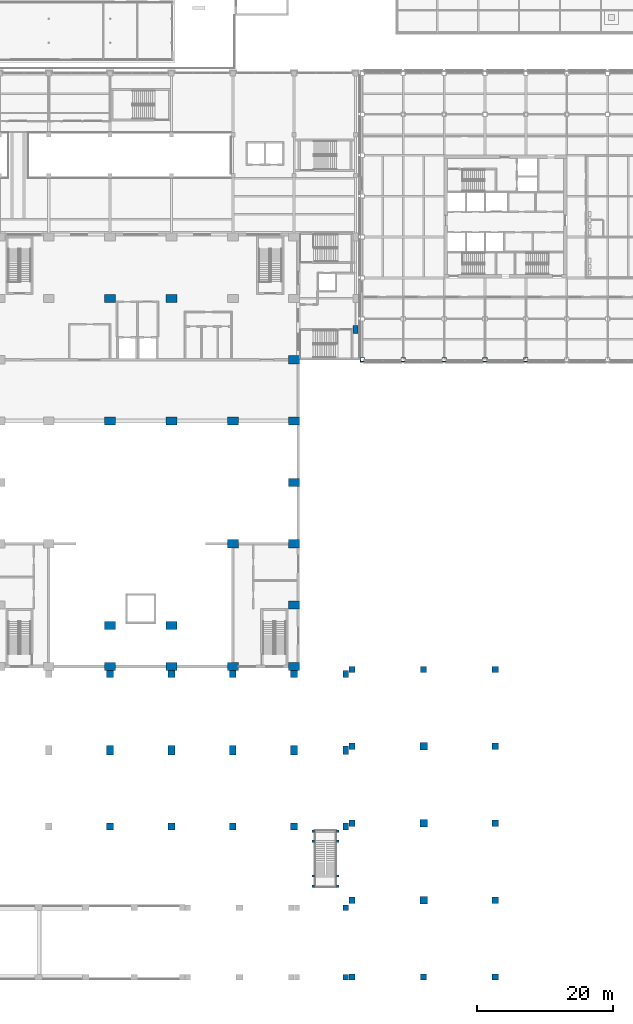
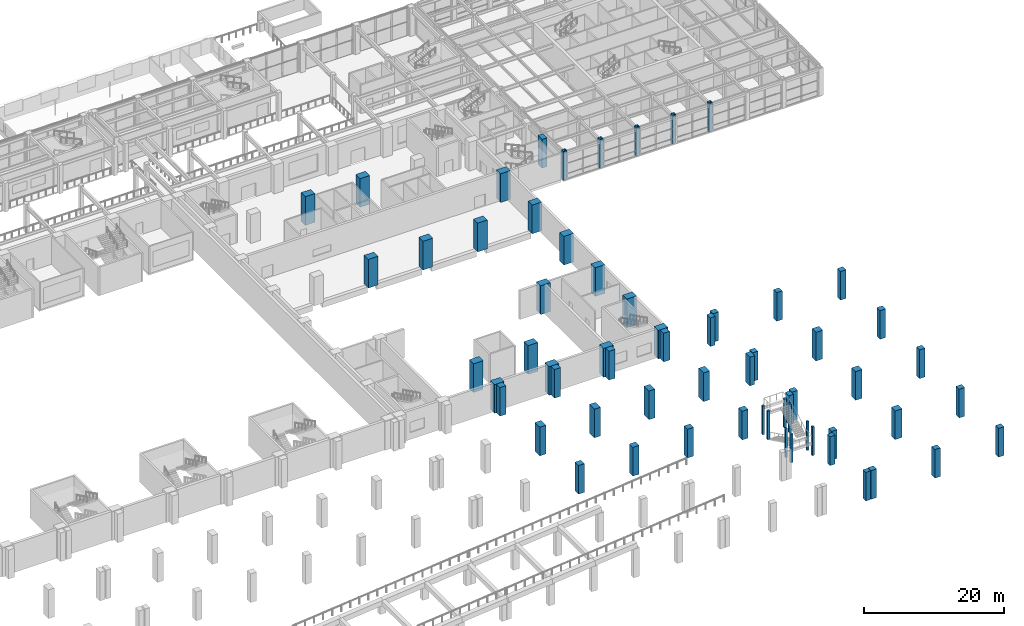
# One storey, part 3 of 67: 63 columns.
"""IFC4 building model written with IfcOpenShell, lengths in metres."""

from ifc_helpers import new_model, si_unit, direction, frame, origin, origin_2d, place, context, subcontext, project, spatial, rectangle, hollow_rectangle, extrude, material, material_profile, profile_set, type_object, element, save


model = new_model("IFC4")

# Units and contexts
model_context = context("Model", 3, precision=1e-05, world=origin(), true_north=direction((0.0, 1.0)))
body_context = subcontext(model_context, "Body", "Model", "MODEL_VIEW")
ifc_project = project(units=[si_unit("LENGTHUNIT", "METRE"), si_unit("AREAUNIT", "SQUARE_METRE"), si_unit("VOLUMEUNIT", "CUBIC_METRE"), si_unit("PLANEANGLEUNIT", "RADIAN"), si_unit("MASSUNIT", "GRAM", prefix="KILO")], contexts=[model_context])

# Site, building, storey
site_placement = place(None, origin())
site = spatial("IfcSite", under=ifc_project, at=site_placement, CompositionType="ELEMENT")
building_placement = place(site_placement, origin())
building = spatial("IfcBuilding", under=site, at=building_placement, Name="Aravalli Gate Trade Fair Centre", CompositionType="ELEMENT")
storey_placement = place(building_placement, frame((0.0, 0.0, 5.0)))
storey = spatial("IfcBuildingStorey", under=building, at=storey_placement, Name="L01", CompositionType="ELEMENT", Elevation=5.0)

# Columns
ifc_material_1 = material(Name="Concrete M45", Category="concrete")
ifc_material_profile_1 = material_profile(ifc_material_1, rectangle(XDim=1.60009765625, YDim=1.199951171875, at=origin_2d()), Name="RC 1600x1200")
ifc_profile_set_1 = profile_set([ifc_material_profile_1], Name="Concrete M45")
column_type_1 = type_object("IfcColumnType", Name="Congress RC column 1600 x 1200", PredefinedType="COLUMN", material=ifc_profile_set_1)
for number, where, z_axis, x_axis, name in (
    (1, (123.0, 46.0, 0.0), (0.0, 0.0, 1.0), (1.0, 0.0, 0.0), "Congress column 123.0/46 L01"),
    (2, (132.0, 46.0, 0.0), (0.0, 0.0, 1.0), (1.0, 0.0, 0.0), "Congress column 132.0/46 L01"),
    (3, (141.0, 46.0, 0.0), (0.0, 0.0, 1.0), (1.0, 0.0, 0.0), "Congress column 141.0/46 L01"),
    (4, (150.0, 46.0, 0.0), (0.0, 0.0, 1.0), (1.0, 0.0, 0.0), "Congress column 150.0/46 L01"),
    (5, (150.0, 55.0, 0.0), (0.0, 0.0, 1.0), (1.0, 0.0, 0.0), "Congress column 150.0/55 L01"),
    (6, (150.0, 64.0, 0.0), (0.0, 0.0, 1.0), (1.0, 0.0, 0.0), "Congress column 150.0/64 L01"),
    (7, (150.0, 73.0, 0.0), (0.0, 0.0, 1.0), (1.0, 0.0, 0.0), "Congress column 150.0/73 L01"),
    (8, (150.0, 82.0, 0.0), (0.0, 0.0, 1.0), (1.0, 0.0, 0.0), "Congress column 150.0/82 L01"),
    (9, (150.0, 91.0, 0.0), (0.0, 0.0, 1.0), (1.0, 0.0, 0.0), "Congress column 150.0/91 L01"),
):
    element("IfcColumn", number, at=place(storey_placement, frame(where, z_axis=z_axis, x_axis=x_axis)), inside=storey, type_object=column_type_1, Name=name, PredefinedType="COLUMN", context=body_context, shape_type="SweptSolid", body=[
        extrude(rectangle(XDim=1.60009765625, YDim=1.199951171875, at=origin_2d()), origin(), (0.0, 0.0, 1.0), 5.0),
    ])
ifc_material_profile_2 = material_profile(ifc_material_1, rectangle(XDim=1.60009765625, YDim=1.199951171875, at=origin_2d()), Name="RC 1600x1200")
ifc_profile_set_2 = profile_set([ifc_material_profile_2], Name="Concrete M45")
column_type_2 = type_object("IfcColumnType", Name="Congress RC column 1600 x 1200, heavy stack", PredefinedType="COLUMN", material=ifc_profile_set_2)
for number, where, z_axis, x_axis, name in (
    (10, (123.0, 52.0, 0.0), (0.0, 0.0, 1.0), (1.0, 0.0, 0.0), "Congress column 123.0/52 L01"),
    (11, (132.0, 52.0, 0.0), (0.0, 0.0, 1.0), (1.0, 0.0, 0.0), "Congress column 132.0/52 L01"),
    (12, (141.0, 64.0, 0.0), (0.0, 0.0, 1.0), (1.0, 0.0, 0.0), "Congress column 141.0/64 L01"),
    (13, (123.0, 82.0, 0.0), (0.0, 0.0, 1.0), (1.0, 0.0, 0.0), "Congress column 123.0/82 L01"),
    (14, (132.0, 82.0, 0.0), (0.0, 0.0, 1.0), (1.0, 0.0, 0.0), "Congress column 132.0/82 L01"),
    (15, (141.0, 82.0, 0.0), (0.0, 0.0, 1.0), (1.0, 0.0, 0.0), "Congress column 141.0/82 L01"),
    (16, (123.0, 100.0, 0.0), (0.0, 0.0, 1.0), (1.0, 0.0, 0.0), "Congress column 123.0/100 L01"),
    (17, (132.0, 100.0, 0.0), (0.0, 0.0, 1.0), (1.0, 0.0, 0.0), "Congress column 132.0/100 L01"),
):
    element("IfcColumn", number, at=place(storey_placement, frame(where, z_axis=z_axis, x_axis=x_axis)), inside=storey, type_object=column_type_2, Name=name, PredefinedType="COLUMN", context=body_context, shape_type="SweptSolid", body=[
        extrude(rectangle(XDim=1.60009765625, YDim=1.199951171875, at=origin_2d()), origin(), (0.0, 0.0, 1.0), 5.0),
    ])
ifc_material_profile_3 = material_profile(ifc_material_1, rectangle(XDim=1.0, YDim=1.0, at=origin_2d()), Name="Deck column RC 1000 x 1000")
ifc_profile_set_3 = profile_set([ifc_material_profile_3], Name="Concrete M45")
column_type_3 = type_object("IfcColumnType", Name="Deck column RC 1000 x 1000", PredefinedType="COLUMN", material=ifc_profile_set_3)
for number, where, z_axis, x_axis, name in (
    (18, (123.0, 22.5, 0.0), (0.0, 0.0, 1.0), (1.0, 0.0, 0.0), "Deck column col.deck.3.3.S L01"),
    (19, (123.0, 44.89990234375, 0.0), (0.0, 0.0, 1.0), (1.0, 0.0, 0.0), "Deck column col.deck.3.3.N L01"),
    (20, (132.0, 22.5, 0.0), (0.0, 0.0, 1.0), (1.0, 0.0, 0.0), "Deck column col.deck.3.4.S L01"),
    (21, (132.0, 44.89990234375, 0.0), (0.0, 0.0, 1.0), (1.0, 0.0, 0.0), "Deck column col.deck.3.4.N L01"),
    (22, (141.0, 22.5, 0.0), (0.0, 0.0, 1.0), (1.0, 0.0, 0.0), "Deck column col.deck.3.5.S L01"),
    (23, (141.0, 44.89990234375, 0.0), (0.0, 0.0, 1.0), (1.0, 0.0, 0.0), "Deck column col.deck.3.5.N L01"),
    (24, (150.0, 22.5, 0.0), (0.0, 0.0, 1.0), (1.0, 0.0, 0.0), "Deck column col.deck.3.6.S L01"),
    (25, (150.0, 44.89990234375, 0.0), (0.0, 0.0, 1.0), (1.0, 0.0, 0.0), "Deck column col.deck.3.6.N L01"),
):
    element("IfcColumn", number, at=place(storey_placement, frame(where, z_axis=z_axis, x_axis=x_axis)), inside=storey, type_object=column_type_3, Name=name, PredefinedType="COLUMN", context=body_context, shape_type="SweptSolid", body=[
        extrude(rectangle(XDim=1.0, YDim=1.0, at=origin_2d()), origin(), (0.0, 0.0, 1.0), 5.0),
    ])
ifc_material_profile_4 = material_profile(ifc_material_1, rectangle(XDim=1.0, YDim=1.39990234375, at=origin_2d()), Name="Deck column RC 1000 x 1400")
ifc_profile_set_4 = profile_set([ifc_material_profile_4], Name="Concrete M45")
column_type_4 = type_object("IfcColumnType", Name="Deck column RC 1000 x 1400", PredefinedType="COLUMN", material=ifc_profile_set_4)
for number, where, z_axis, x_axis, name in (
    (26, (123.0, 33.699951171875, 0.0), (0.0, 0.0, 1.0), (1.0, 0.0, 0.0), "Deck column col.deck.3.3.M L01"),
    (27, (132.0, 33.699951171875, 0.0), (0.0, 0.0, 1.0), (1.0, 0.0, 0.0), "Deck column col.deck.3.4.M L01"),
    (28, (141.0, 33.699951171875, 0.0), (0.0, 0.0, 1.0), (1.0, 0.0, 0.0), "Deck column col.deck.3.5.M L01"),
    (29, (150.0, 33.699951171875, 0.0), (0.0, 0.0, 1.0), (1.0, 0.0, 0.0), "Deck column col.deck.3.6.M L01"),
):
    element("IfcColumn", number, at=place(storey_placement, frame(where, z_axis=z_axis, x_axis=x_axis)), inside=storey, type_object=column_type_4, Name=name, PredefinedType="COLUMN", context=body_context, shape_type="SweptSolid", body=[
        extrude(rectangle(XDim=1.0, YDim=1.39990234375, at=origin_2d()), origin(), (0.0, 0.0, 1.0), 5.0),
    ])
ifc_material_profile_5 = material_profile(ifc_material_1, rectangle(XDim=0.800048828125, YDim=1.0, at=origin_2d()), Name="Deck column RC 800 x 1000")
ifc_profile_set_5 = profile_set([ifc_material_profile_5], Name="Concrete M45")
column_type_5 = type_object("IfcColumnType", Name="Deck column RC 800 x 1000", PredefinedType="COLUMN", material=ifc_profile_set_5)
for number, where, z_axis, x_axis, name in (
    (30, (157.580078125, 22.5, 0.0), (0.0, 0.0, 1.0), (1.0, 0.0, 0.0), "Deck column col.deck.3.7.S L01"),
    (31, (157.580078125, 44.89990234375, 0.0), (0.0, 0.0, 1.0), (1.0, 0.0, 0.0), "Deck column col.deck.3.7.N L01"),
):
    element("IfcColumn", number, at=place(storey_placement, frame(where, z_axis=z_axis, x_axis=x_axis)), inside=storey, type_object=column_type_5, Name=name, PredefinedType="COLUMN", context=body_context, shape_type="SweptSolid", body=[
        extrude(rectangle(XDim=0.800048828125, YDim=1.0, at=origin_2d()), origin(), (0.0, 0.0, 1.0), 5.0),
    ])
ifc_material_profile_6 = material_profile(ifc_material_1, rectangle(XDim=0.800048828125, YDim=1.199951171875, at=origin_2d()), Name="Deck column RC 800 x 1200")
ifc_profile_set_6 = profile_set([ifc_material_profile_6], Name="Concrete M45")
column_type_6 = type_object("IfcColumnType", Name="Deck column RC 800 x 1200", PredefinedType="COLUMN", material=ifc_profile_set_6)
column_1_placement = place(storey_placement, frame((157.580078125, 33.699951171875, 0.0), z_axis=(0.0, 0.0, 1.0), x_axis=(1.0, 0.0, 0.0)))
element("IfcColumn", 32, at=column_1_placement, inside=storey, type_object=column_type_6, Name="Deck column col.deck.3.7.M L01", PredefinedType="COLUMN", context=body_context, shape_type="SweptSolid", body=[
    extrude(rectangle(XDim=0.800048828125, YDim=1.199951171875, at=origin_2d()), origin(), (0.0, 0.0, 1.0), 5.0),
])
ifc_material_profile_7 = material_profile(ifc_material_1, rectangle(XDim=1.10009765625, YDim=1.10009765625, at=origin_2d()), Name="Landing column RC 1100 x 1100")
ifc_profile_set_7 = profile_set([ifc_material_profile_7], Name="Concrete M45")
column_type_7 = type_object("IfcColumnType", Name="Landing column RC 1100 x 1100", PredefinedType="COLUMN", material=ifc_profile_set_7)
for number, where, z_axis, x_axis, name in (
    (33, (169.0, 11.699951171875, 0.0), (0.0, 0.0, 1.0), (1.0, 0.0, 0.0), "Landing column col.landing.2.2 L01"),
    (34, (169.0, 23.0, 0.0), (0.0, 0.0, 1.0), (1.0, 0.0, 0.0), "Landing column col.landing.2.3 L01"),
    (35, (169.0, 34.300048828125, 0.0), (0.0, 0.0, 1.0), (1.0, 0.0, 0.0), "Landing column col.landing.2.4 L01"),
):
    element("IfcColumn", number, at=place(storey_placement, frame(where, z_axis=z_axis, x_axis=x_axis)), inside=storey, type_object=column_type_7, Name=name, PredefinedType="COLUMN", context=body_context, shape_type="SweptSolid", body=[
        extrude(rectangle(XDim=1.10009765625, YDim=1.10009765625, at=origin_2d()), origin(), (0.0, 0.0, 1.0), 5.0),
    ])
ifc_material_profile_8 = material_profile(ifc_material_1, rectangle(XDim=0.89990234375, YDim=0.89990234375, at=origin_2d()), Name="Landing column RC 900 x 900")
ifc_profile_set_8 = profile_set([ifc_material_profile_8], Name="Concrete M45")
column_type_8 = type_object("IfcColumnType", Name="Landing column RC 900 x 900", PredefinedType="COLUMN", material=ifc_profile_set_8)
for number, where, z_axis, x_axis, name in (
    (36, (158.5, 0.449951171875, 0.0), (0.0, 0.0, 1.0), (1.0, 0.0, 0.0), "Landing column col.landing.1.1 L01"),
    (37, (158.5, 11.699951171875, 0.0), (0.0, 0.0, 1.0), (1.0, 0.0, 0.0), "Landing column col.landing.1.2 L01"),
    (38, (158.5, 23.0, 0.0), (0.0, 0.0, 1.0), (1.0, 0.0, 0.0), "Landing column col.landing.1.3 L01"),
    (39, (158.5, 34.300048828125, 0.0), (0.0, 0.0, 1.0), (1.0, 0.0, 0.0), "Landing column col.landing.1.4 L01"),
    (40, (158.5, 45.550048828125, 0.0), (0.0, 0.0, 1.0), (1.0, 0.0, 0.0), "Landing column col.landing.1.5 L01"),
    (41, (169.0, 0.449951171875, 0.0), (0.0, 0.0, 1.0), (1.0, 0.0, 0.0), "Landing column col.landing.2.1 L01"),
    (42, (169.0, 45.550048828125, 0.0), (0.0, 0.0, 1.0), (1.0, 0.0, 0.0), "Landing column col.landing.2.5 L01"),
    (43, (179.5, 0.449951171875, 0.0), (0.0, 0.0, 1.0), (1.0, 0.0, 0.0), "Landing column col.landing.3.1 L01"),
    (44, (179.5, 11.699951171875, 0.0), (0.0, 0.0, 1.0), (1.0, 0.0, 0.0), "Landing column col.landing.3.2 L01"),
    (45, (179.5, 23.0, 0.0), (0.0, 0.0, 1.0), (1.0, 0.0, 0.0), "Landing column col.landing.3.3 L01"),
    (46, (179.5, 34.300048828125, 0.0), (0.0, 0.0, 1.0), (1.0, 0.0, 0.0), "Landing column col.landing.3.4 L01"),
    (47, (179.5, 45.550048828125, 0.0), (0.0, 0.0, 1.0), (1.0, 0.0, 0.0), "Landing column col.landing.3.5 L01"),
):
    element("IfcColumn", number, at=place(storey_placement, frame(where, z_axis=z_axis, x_axis=x_axis)), inside=storey, type_object=column_type_8, Name=name, PredefinedType="COLUMN", context=body_context, shape_type="SweptSolid", body=[
        extrude(rectangle(XDim=0.89990234375, YDim=0.89990234375, at=origin_2d()), origin(), (0.0, 0.0, 1.0), 5.0),
    ])
ifc_material_2 = material(Name="Concrete M50", Category="concrete")
ifc_material_profile_9 = material_profile(ifc_material_2, rectangle(XDim=0.800048828125, YDim=1.199951171875, at=origin_2d()), Name="Link column 800 x 1200")
ifc_profile_set_9 = profile_set([ifc_material_profile_9], Name="Concrete M50")
column_type_9 = type_object("IfcColumnType", Name="Link column 800 x 1200", PredefinedType="COLUMN", material=ifc_profile_set_9)
column_2_placement = place(storey_placement, frame((159.0, 95.449951171875, 0.0), z_axis=(0.0, 0.0, 1.0), x_axis=(1.0, 0.0, 0.0)))
element("IfcColumn", 48, at=column_2_placement, inside=storey, type_object=column_type_9, Name="Link column EF L01", PredefinedType="COLUMN", context=body_context, shape_type="SweptSolid", body=[
    extrude(rectangle(XDim=0.800048828125, YDim=1.199951171875, at=origin_2d()), origin(), (0.0, 0.0, 1.0), 5.0),
])
ifc_material_profile_10 = material_profile(ifc_material_1, rectangle(XDim=0.800048828125, YDim=0.800048828125, at=origin_2d()), Name="Ramp column RC 800 x 800")
ifc_profile_set_10 = profile_set([ifc_material_profile_10], Name="Concrete M45")
column_type_10 = type_object("IfcColumnType", Name="Ramp column RC 800 x 800", PredefinedType="COLUMN", material=ifc_profile_set_10)
for number, where, z_axis, x_axis, name in (
    (49, (157.580078125, 0.39990234375, 0.0), (0.0, 0.0, 1.0), (1.0, 0.0, 0.0), "Ramp column col.ramp.RA1-F3.2S L01"),
    (50, (157.580078125, 10.60009765625, 0.0), (0.0, 0.0, 1.0), (1.0, 0.0, 0.0), "Ramp column col.ramp.RA1-F3.2N L01"),
):
    element("IfcColumn", number, at=place(storey_placement, frame(where, z_axis=z_axis, x_axis=x_axis)), inside=storey, type_object=column_type_10, Name=name, PredefinedType="COLUMN", context=body_context, shape_type="SweptSolid", body=[
        extrude(rectangle(XDim=0.800048828125, YDim=0.800048828125, at=origin_2d()), origin(), (0.0, 0.0, 1.0), 5.0),
    ])
ifc_material_profile_11 = material_profile(ifc_material_1, rectangle(XDim=0.35009765625, YDim=0.35009765625, at=origin_2d()), Name="Stair column RC 350 x 350")
ifc_profile_set_11 = profile_set([ifc_material_profile_11], Name="Concrete M45")
column_type_11 = type_object("IfcColumnType", Name="Stair column RC 350 x 350", PredefinedType="COLUMN", material=ifc_profile_set_11)
for number, where, z_axis, x_axis, name in (
    (51, (152.824951171875, 21.800048828125, 0.0), (0.0, 0.0, 1.0), (1.0, 0.0, 0.0), "Stair column col.stair.2.1.1 L01"),
    (52, (152.824951171875, 20.35009765625, 0.0), (0.0, 0.0, 1.0), (1.0, 0.0, 0.0), "Stair column col.stair.2.1.2 L01"),
    (53, (152.824951171875, 15.25, 0.0), (0.0, 0.0, 1.0), (1.0, 0.0, 0.0), "Stair column col.stair.2.1.3 L01"),
    (54, (152.824951171875, 13.75, 0.0), (0.0, 0.0, 1.0), (1.0, 0.0, 0.0), "Stair column col.stair.2.1.4 L01"),
    (55, (156.375, 21.800048828125, 0.0), (0.0, 0.0, 1.0), (1.0, 0.0, 0.0), "Stair column col.stair.2.2.1 L01"),
    (56, (156.375, 20.35009765625, 0.0), (0.0, 0.0, 1.0), (1.0, 0.0, 0.0), "Stair column col.stair.2.2.2 L01"),
    (57, (156.375, 15.25, 0.0), (0.0, 0.0, 1.0), (1.0, 0.0, 0.0), "Stair column col.stair.2.2.3 L01"),
    (58, (156.375, 13.75, 0.0), (0.0, 0.0, 1.0), (1.0, 0.0, 0.0), "Stair column col.stair.2.2.4 L01"),
):
    element("IfcColumn", number, at=place(storey_placement, frame(where, z_axis=z_axis, x_axis=x_axis)), inside=storey, type_object=column_type_11, Name=name, PredefinedType="COLUMN", context=body_context, shape_type="SweptSolid", body=[
        extrude(rectangle(XDim=0.35009765625, YDim=0.35009765625, at=origin_2d()), origin(), (0.0, 0.0, 1.0), 5.0),
    ])
ifc_material_3 = material(Name="Steel E350", Category="steel")
ifc_material_profile_12 = material_profile(ifc_material_3, hollow_rectangle(XDim=0.60009765625, YDim=0.60009765625, WallThickness=0.0400390625, at=origin_2d()), Name="BOX 600x600x40")
ifc_profile_set_12 = profile_set([ifc_material_profile_12], Name="Steel E350")
column_type_12 = type_object("IfcColumnType", Name="Wing box column 600 x 600 x 40", PredefinedType="COLUMN", material=ifc_profile_set_12)
for number, where, z_axis, x_axis, name in (
    (59, (160.0, 91.0, 0.0), (0.0, 0.0, 1.0), (1.0, 0.0, 0.0), "Wing column 18/F L01"),
    (60, (166.0, 91.0, 0.0), (0.0, 0.0, 1.0), (1.0, 0.0, 0.0), "Wing column 19/F L01"),
    (61, (172.0, 91.0, 0.0), (0.0, 0.0, 1.0), (1.0, 0.0, 0.0), "Wing column 20/F L01"),
    (62, (178.0, 91.0, 0.0), (0.0, 0.0, 1.0), (1.0, 0.0, 0.0), "Wing column 21/F L01"),
    (63, (184.0, 91.0, 0.0), (0.0, 0.0, 1.0), (1.0, 0.0, 0.0), "Wing column 22/F L01"),
):
    element("IfcColumn", number, at=place(storey_placement, frame(where, z_axis=z_axis, x_axis=x_axis)), inside=storey, type_object=column_type_12, Name=name, PredefinedType="COLUMN", context=body_context, shape_type="SweptSolid", body=[
        extrude(hollow_rectangle(XDim=0.60009765625, YDim=0.60009765625, WallThickness=0.0400390625, at=origin_2d()), origin(), (0.0, 0.0, 1.0), 5.0),
    ])

save(model, "model.ifc")
